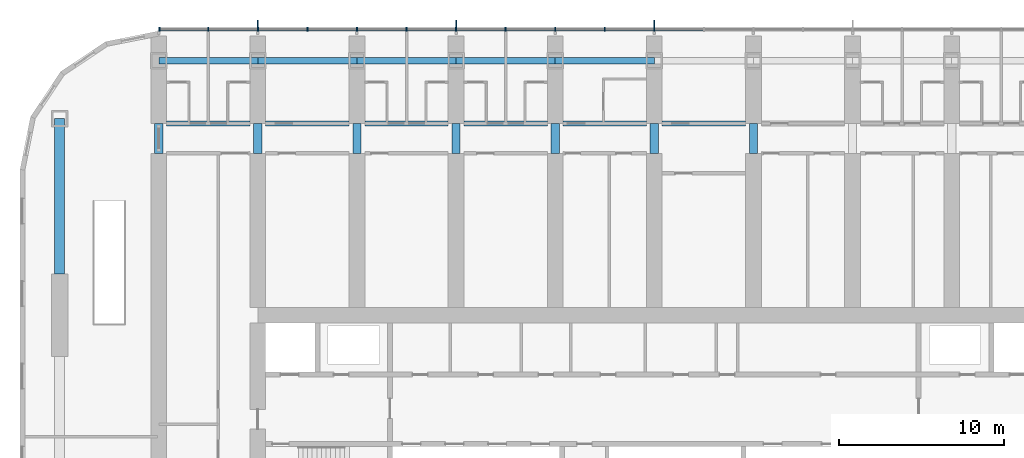
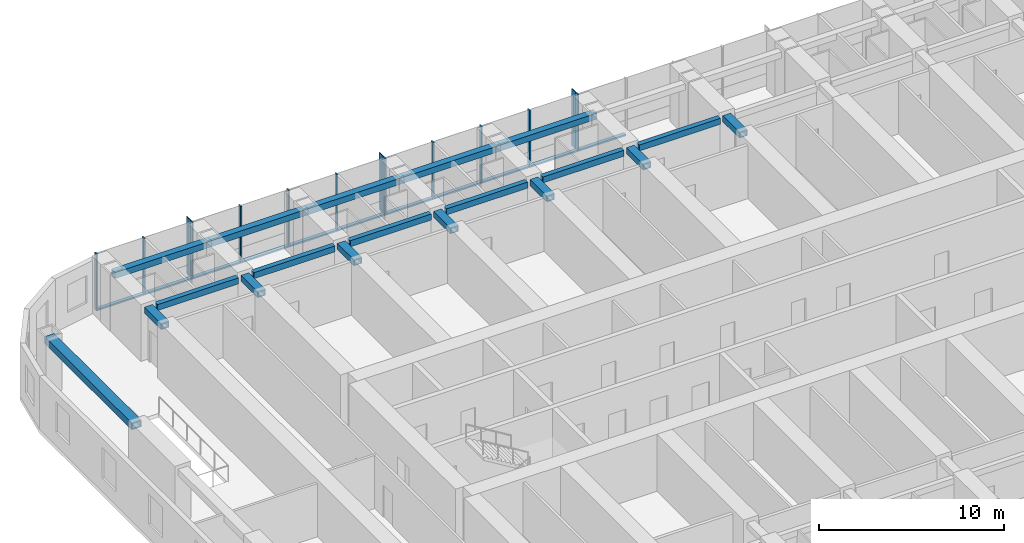
# One storey, part 4 of 21: 25 members, 19 beams, 1 element without a shape of its own.
"""IFC4 building model written with IfcOpenShell, lengths in metres."""

import ifcopenshell
import ifcopenshell.guid

model = None  # the IFC model being written
_history = None  # IfcOwnerHistory: only IFC2X3 demands one
_inside = {}  # id of a spatial element -> (the spatial element, [elements in it])
_under = {}  # id of a project, library or spatial element -> (it, [spatial elements below it])
_declared = {}  # id of a project -> (the project, [libraries it declares])
_typed = {}  # id of a type object -> (the type object, [elements of that type])
_made_of = {}  # id of a material, layer set ... -> (it, [elements and type objects made of it])


def new_model(schema):
    """Start an empty IFC model of exactly this schema.

    Asked for "IFC4X3", IfcOpenShell would pick the latest addendum, in which some entities
    have other attributes; the version numbers below select the first issue.
    IFC2X3 requires an IfcOwnerHistory on every rooted entity: one is made here for all.
    """
    global model, _history
    if schema == "IFC4X3":
        model = ifcopenshell.file(schema_version=(4, 3, 0, 0))
    else:
        model = ifcopenshell.file(schema=schema)
    _inside.clear()
    _under.clear()
    _declared.clear()
    _typed.clear()
    _made_of.clear()
    _history = None
    if model.schema == "IFC2X3":
        org = make("IfcOrganization", Name="unknown")
        user = make(
            "IfcPersonAndOrganization",
            ThePerson=make("IfcPerson", FamilyName="unknown"),
            TheOrganization=org,
        )
        app = make(
            "IfcApplication",
            ApplicationDeveloper=org,
            Version="unknown",
            ApplicationFullName="unknown",
            ApplicationIdentifier="unknown",
        )
        _history = make(
            "IfcOwnerHistory",
            OwningUser=user,
            OwningApplication=app,
            ChangeAction="ADDED",
            CreationDate=0,
        )
    return model


def make(cls, **values):
    """One entity of the class cls with the attributes given. An attribute that is None is left unset."""
    return model.create_entity(
        cls, **{name: value for name, value in values.items() if value is not None}
    )


def rooted(cls, **values):
    """An entity with a GlobalId (a new one), such as an element, a storey or a relation."""
    return make(cls, GlobalId=ifcopenshell.guid.new(), OwnerHistory=_history, **values)


def si_unit(unit_type, name, prefix=None):
    """IfcSIUnit, for example si_unit("LENGTHUNIT", "METRE", prefix="MILLI")."""
    return make("IfcSIUnit", UnitType=unit_type, Prefix=prefix, Name=name)


def assignment(units):
    """IfcUnitAssignment: the units of a project."""
    return None if units is None else make("IfcUnitAssignment", Units=units)


def point(xyz):
    """IfcCartesianPoint."""
    return None if xyz is None else make("IfcCartesianPoint", Coordinates=xyz)


def direction(xyz):
    """IfcDirection."""
    return None if xyz is None else make("IfcDirection", DirectionRatios=xyz)


def frame(location, z_axis=None, x_axis=None):
    """IfcAxis2Placement3D, a coordinate frame: its origin and axes. An axis left out is left unset."""
    return make(
        "IfcAxis2Placement3D",
        Location=point(location),
        Axis=direction(z_axis),
        RefDirection=direction(x_axis),
    )


def frame_2d(location, x_axis=None):
    """IfcAxis2Placement2D, a coordinate frame in the plane: its origin and x axis."""
    return make(
        "IfcAxis2Placement2D", Location=point(location), RefDirection=direction(x_axis)
    )


def origin():
    """The frame at (0, 0, 0) with its axes left unset."""
    return frame((0.0, 0.0, 0.0))


def origin_2d():
    """The frame at (0, 0) in the plane with its x axis left unset."""
    return frame_2d((0.0, 0.0))


def place(relative_to, where):
    """IfcLocalPlacement: puts the frame where relative to a parent placement (None: the world)."""
    return make(
        "IfcLocalPlacement", PlacementRelTo=relative_to, RelativePlacement=where
    )


def context(
    kind, dimensions, precision=None, world=None, true_north=None, identifier=None
):
    """IfcGeometricRepresentationContext, for example the 3D "Model" context."""
    return make(
        "IfcGeometricRepresentationContext",
        ContextIdentifier=identifier,
        ContextType=kind,
        CoordinateSpaceDimension=dimensions,
        Precision=precision,
        WorldCoordinateSystem=world,
        TrueNorth=true_north,
    )


def subcontext(parent, identifier, kind, view, scale=None):
    """IfcGeometricRepresentationSubContext, for example "Body" below "Model"."""
    return make(
        "IfcGeometricRepresentationSubContext",
        ContextIdentifier=identifier,
        ContextType=kind,
        ParentContext=parent,
        TargetScale=scale,
        TargetView=view,
    )


def project(units=None, contexts=None):
    """IfcProject with its units and contexts."""
    return rooted(
        "IfcProject",
        Name="project",
        RepresentationContexts=contexts,
        UnitsInContext=assignment(units),
    )


def spatial(cls, under=None, at=None, **own):
    """A site, building, storey or space (cls), placed at a placement, below another one or the project."""
    s = rooted(cls, ObjectPlacement=at, **own)
    if under is not None:
        _under.setdefault(under.id(), (under, []))[1].append(s)
    return s


def profile(cls, at=None, kind="AREA", **sizes):
    """A parametric profile (cls). Its sizes go by their IFC names, for example OverallWidth=200.0."""
    return make(cls, ProfileType=kind, Position=at, **sizes)


def rectangle(**sizes):
    """IfcRectangleProfileDef."""
    return profile("IfcRectangleProfileDef", **sizes)


def hollow_rectangle(**sizes):
    """IfcRectangleHollowProfileDef."""
    return profile("IfcRectangleHollowProfileDef", **sizes)


def extrude(swept, where, along, depth):
    """IfcExtrudedAreaSolid: the profile swept, set in the frame where, extruded along a direction by depth."""
    return make(
        "IfcExtrudedAreaSolid",
        SweptArea=swept,
        Position=where,
        ExtrudedDirection=direction(along),
        Depth=depth,
    )


def shape(context_of_items, identifier, shape_type, items):
    """IfcShapeRepresentation: the items that make up one representation, for example the "Body"."""
    return make(
        "IfcShapeRepresentation",
        ContextOfItems=context_of_items,
        RepresentationIdentifier=identifier,
        RepresentationType=shape_type,
        Items=items,
    )


def material(Name=None, Category=None):
    """IfcMaterial."""
    return make("IfcMaterial", Name=Name, Category=Category)


def material_profile(
    of_material, cross_section, Name=None, Category=None, Priority=None
):
    """IfcMaterialProfile: a cross section and its material."""
    return make(
        "IfcMaterialProfile",
        Name=Name,
        Material=of_material,
        Profile=cross_section,
        Priority=Priority,
        Category=Category,
    )


def profile_set(profiles, Name=None, composite=None):
    """IfcMaterialProfileSet."""
    return make(
        "IfcMaterialProfileSet",
        Name=Name,
        MaterialProfiles=profiles,
        CompositeProfile=composite,
    )


def made_of(thing, what):
    """Note that an element or type object is made of a material, layer set ...; save() writes the relation."""
    if what is not None:
        _made_of.setdefault(what.id(), (what, []))[1].append(thing)
    return thing


def type_object(cls, material=None, **own):
    """A type object (cls), such as IfcWallType, which elements share."""
    return made_of(rooted(cls, **own), material)


def element(
    cls,
    number,
    at=None,
    inside=None,
    cuts=None,
    type_object=None,
    material=None,
    context=None,
    identifier="Body",
    shape_type=None,
    held_by="IfcProductDefinitionShape",
    body=None,
    shapes=None,
    **own,
):
    """One element of the class cls, such as IfcWall. Its Tag is "e" and its number.

    at: its placement. inside: the storey or other place that contains it. cuts: it is an
    opening in that element (IfcRelVoidsElement). A single representation is given by context,
    identifier, shape_type and body (its items); several are given by shapes. held_by: the class
    of the entity that holds the representations. save() writes the other relations.
    """
    e = rooted(cls, Tag="e%d" % number, ObjectPlacement=at, **own)
    if body is not None:
        shapes = [shape(context, identifier, shape_type, body)]
    if shapes is not None:
        e.Representation = make(held_by, Representations=shapes)
    if inside is not None:
        _inside.setdefault(inside.id(), (inside, []))[1].append(e)
    if cuts is not None:
        rooted(
            "IfcRelVoidsElement", RelatingBuildingElement=cuts, RelatedOpeningElement=e
        )
    if type_object is not None:
        _typed.setdefault(type_object.id(), (type_object, []))[1].append(e)
    return made_of(e, material)


def aggregate(whole, parts):
    """IfcRelAggregates: a whole, such as a stair, and the parts it consists of."""
    return rooted("IfcRelAggregates", RelatingObject=whole, RelatedObjects=parts)


def save(model, path):
    """Write the relations noted so far, then the file.

    IfcRelAggregates (storeys below a building ...), IfcRelContainedInSpatialStructure (elements
    in a storey), IfcRelDefinesByType, IfcRelAssociatesMaterial and IfcRelDeclares: one each for
    every whole, place, type object, material and project.
    """
    for whole, parts in _under.values():
        aggregate(whole, parts)
    for where, things in _inside.values():
        rooted(
            "IfcRelContainedInSpatialStructure",
            RelatedElements=things,
            RelatingStructure=where,
        )
    for kind, things in _typed.values():
        rooted("IfcRelDefinesByType", RelatedObjects=things, RelatingType=kind)
    for what, things in _made_of.values():
        rooted("IfcRelAssociatesMaterial", RelatedObjects=things, RelatingMaterial=what)
    for by, libraries in _declared.values():
        rooted("IfcRelDeclares", RelatingContext=by, RelatedDefinitions=libraries)
    model.write(path)


model = new_model("IFC4")

# Units and contexts
model_context = context("Model", 3, precision=1e-05, world=origin(), true_north=direction((0.0, 1.0)))
body_context = subcontext(model_context, "Body", "Model", "MODEL_VIEW")
ifc_project = project(units=[si_unit("LENGTHUNIT", "METRE"), si_unit("AREAUNIT", "SQUARE_METRE"), si_unit("VOLUMEUNIT", "CUBIC_METRE"), si_unit("PLANEANGLEUNIT", "RADIAN"), si_unit("MASSUNIT", "GRAM", prefix="KILO")], contexts=[model_context])

# Site, building, storey
site_placement = place(None, origin())
site = spatial("IfcSite", under=ifc_project, at=site_placement, CompositionType="ELEMENT")
building_placement = place(site_placement, origin())
building = spatial("IfcBuilding", under=site, at=building_placement, Name="Orbita Commons", CompositionType="ELEMENT")
storey_placement = place(building_placement, frame((0.0, 0.0, 88.14990234375)))
storey = spatial("IfcBuildingStorey", under=building, at=storey_placement, Name="L21", CompositionType="ELEMENT", Elevation=88.14990234375)

# Curtain wall, members
ifc_material_1 = material(Name="Anodised aluminium frame, pale silver", Category="aluminium")
curtain_wall_type = type_object("IfcCurtainWallType", Name="Unitised curtain wall CW-T, vision and spandrel", PredefinedType="NOTDEFINED", material=ifc_material_1)
curtain_wall_placement = place(storey_placement, origin())
curtain_wall = element("IfcCurtainWall", 1, at=curtain_wall_placement, inside=storey, type_object=curtain_wall_type, Name="Curtain wall north L21", PredefinedType="NOTDEFINED")
ifc_material_2 = material(Name="Anodised aluminium, pale silver", Category="aluminium")
ifc_material_profile_1 = material_profile(ifc_material_2, rectangle(XDim=0.080078125, YDim=0.219970703125, at=origin_2d()), Name="AL 80x220")
ifc_profile_set_1 = profile_set([ifc_material_profile_1], Name="Anodised aluminium, pale silver")
member_type_1 = type_object("IfcMemberType", Name="Curtain wall mullion 80x220", PredefinedType="MULLION", material=ifc_profile_set_1)
member_1_placement = place(storey_placement, frame((42.0, 55.510009765625, -0.25), z_axis=(0.0, 0.0, 1.0), x_axis=(-1.0, 0.0, 0.0)))
member_1 = element("IfcMember", 2, at=member_1_placement, type_object=member_type_1, Name="Mullion 9 CW-L21-N", PredefinedType="MULLION", context=body_context, shape_type="SweptSolid", body=[
    extrude(rectangle(XDim=0.080078125, YDim=0.219970703125, at=origin_2d()), origin(), (0.0, 0.0, 1.0), 3.75),
])
member_2_placement = place(storey_placement, frame((39.0, 55.510009765625, -0.25), z_axis=(0.0, 0.0, 1.0), x_axis=(-1.0, 0.0, 0.0)))
member_2 = element("IfcMember", 3, at=member_2_placement, type_object=member_type_1, Name="Mullion 10 CW-L21-N", PredefinedType="MULLION", context=body_context, shape_type="SweptSolid", body=[
    extrude(rectangle(XDim=0.080078125, YDim=0.219970703125, at=origin_2d()), origin(), (0.0, 0.0, 1.0), 3.75),
])
member_3_placement = place(storey_placement, frame((36.0, 55.510009765625, -0.25), z_axis=(0.0, 0.0, 1.0), x_axis=(-1.0, 0.0, 0.0)))
member_3 = element("IfcMember", 4, at=member_3_placement, type_object=member_type_1, Name="Mullion 11 CW-L21-N", PredefinedType="MULLION", context=body_context, shape_type="SweptSolid", body=[
    extrude(rectangle(XDim=0.080078125, YDim=0.219970703125, at=origin_2d()), origin(), (0.0, 0.0, 1.0), 3.75),
])
member_4_placement = place(storey_placement, frame((33.0, 55.510009765625, -0.25), z_axis=(0.0, 0.0, 1.0), x_axis=(-1.0, 0.0, 0.0)))
member_4 = element("IfcMember", 5, at=member_4_placement, type_object=member_type_1, Name="Mullion 12 CW-L21-N", PredefinedType="MULLION", context=body_context, shape_type="SweptSolid", body=[
    extrude(rectangle(XDim=0.080078125, YDim=0.219970703125, at=origin_2d()), origin(), (0.0, 0.0, 1.0), 3.75),
])
member_5_placement = place(storey_placement, frame((30.0, 55.510009765625, -0.25), z_axis=(0.0, 0.0, 1.0), x_axis=(-1.0, 0.0, 0.0)))
member_5 = element("IfcMember", 6, at=member_5_placement, type_object=member_type_1, Name="Mullion 13 CW-L21-N", PredefinedType="MULLION", context=body_context, shape_type="SweptSolid", body=[
    extrude(rectangle(XDim=0.080078125, YDim=0.219970703125, at=origin_2d()), origin(), (0.0, 0.0, 1.0), 3.75),
])
member_6_placement = place(storey_placement, frame((27.0, 55.510009765625, -0.25), z_axis=(0.0, 0.0, 1.0), x_axis=(-1.0, 0.0, 0.0)))
member_6 = element("IfcMember", 7, at=member_6_placement, type_object=member_type_1, Name="Mullion 14 CW-L21-N", PredefinedType="MULLION", context=body_context, shape_type="SweptSolid", body=[
    extrude(rectangle(XDim=0.080078125, YDim=0.219970703125, at=origin_2d()), origin(), (0.0, 0.0, 1.0), 3.75),
])
member_7_placement = place(storey_placement, frame((24.0, 55.510009765625, -0.25), z_axis=(0.0, 0.0, 1.0), x_axis=(-1.0, 0.0, 0.0)))
member_7 = element("IfcMember", 8, at=member_7_placement, type_object=member_type_1, Name="Mullion 15 CW-L21-N", PredefinedType="MULLION", context=body_context, shape_type="SweptSolid", body=[
    extrude(rectangle(XDim=0.080078125, YDim=0.219970703125, at=origin_2d()), origin(), (0.0, 0.0, 1.0), 3.75),
])
member_8_placement = place(storey_placement, frame((21.0, 55.510009765625, -0.25), z_axis=(0.0, 0.0, 1.0), x_axis=(-1.0, 0.0, 0.0)))
member_8 = element("IfcMember", 9, at=member_8_placement, type_object=member_type_1, Name="Mullion 16 CW-L21-N", PredefinedType="MULLION", context=body_context, shape_type="SweptSolid", body=[
    extrude(rectangle(XDim=0.080078125, YDim=0.219970703125, at=origin_2d()), origin(), (0.0, 0.0, 1.0), 3.75),
])
member_9_placement = place(storey_placement, frame((18.0, 55.510009765625, -0.25), z_axis=(0.0, 0.0, 1.0), x_axis=(-1.0, 0.0, 0.0)))
member_9 = element("IfcMember", 10, at=member_9_placement, type_object=member_type_1, Name="Mullion 17 CW-L21-N", PredefinedType="MULLION", context=body_context, shape_type="SweptSolid", body=[
    extrude(rectangle(XDim=0.080078125, YDim=0.219970703125, at=origin_2d()), origin(), (0.0, 0.0, 1.0), 3.75),
])
member_10_placement = place(storey_placement, frame((15.0, 55.510009765625, -0.25), z_axis=(0.0, 0.0, 1.0), x_axis=(-1.0, 0.0, 0.0)))
member_10 = element("IfcMember", 11, at=member_10_placement, type_object=member_type_1, Name="Mullion 18 CW-L21-N", PredefinedType="MULLION", context=body_context, shape_type="SweptSolid", body=[
    extrude(rectangle(XDim=0.080078125, YDim=0.219970703125, at=origin_2d()), origin(), (0.0, 0.0, 1.0), 3.75),
])
member_11_placement = place(storey_placement, frame((12.0400390625, 55.510009765625, -0.25), z_axis=(0.0, 0.0, 1.0), x_axis=(-1.0, 0.0, 0.0)))
member_11 = element("IfcMember", 12, at=member_11_placement, type_object=member_type_1, Name="Mullion 19 CW-L21-N", PredefinedType="MULLION", context=body_context, shape_type="SweptSolid", body=[
    extrude(rectangle(XDim=0.080078125, YDim=0.219970703125, at=origin_2d()), origin(), (0.0, 0.0, 1.0), 3.75),
])
ifc_material_3 = material(Name="Anodised aluminium, pale silver", Category="aluminium")
ifc_material_profile_2 = material_profile(ifc_material_3, rectangle(XDim=0.219970703125, YDim=0.10009765625, at=origin_2d()), Name="AL 220x100")
ifc_profile_set_2 = profile_set([ifc_material_profile_2], Name="Anodised aluminium, pale silver")
member_type_2 = type_object("IfcMemberType", Name="Curtain wall stack transom 220x100", PredefinedType="USERDEFINED", material=ifc_profile_set_2)
member_12_placement = place(storey_placement, frame((44.9599609375, 55.510009765625, -0.199951171875), z_axis=(-1.0, 0.0, 0.0), x_axis=(0.0, -1.0, 0.0)))
member_12 = element("IfcMember", 13, at=member_12_placement, type_object=member_type_2, Name="Transom 8.1 CW-L21-N", ObjectType="TRANSOM", PredefinedType="USERDEFINED", context=body_context, shape_type="SweptSolid", body=[
    extrude(rectangle(XDim=0.219970703125, YDim=0.10009765625, at=origin_2d()), origin(), (0.0, 0.0, 1.0), 2.919921875),
])
member_13_placement = place(storey_placement, frame((41.9599609375, 55.510009765625, -0.199951171875), z_axis=(-1.0, 0.0, 0.0), x_axis=(0.0, -1.0, 0.0)))
member_13 = element("IfcMember", 14, at=member_13_placement, type_object=member_type_2, Name="Transom 9.1 CW-L21-N", ObjectType="TRANSOM", PredefinedType="USERDEFINED", context=body_context, shape_type="SweptSolid", body=[
    extrude(rectangle(XDim=0.219970703125, YDim=0.10009765625, at=origin_2d()), origin(), (0.0, 0.0, 1.0), 2.919921875),
])
member_14_placement = place(storey_placement, frame((38.9599609375, 55.510009765625, -0.199951171875), z_axis=(-1.0, 0.0, 0.0), x_axis=(0.0, -1.0, 0.0)))
member_14 = element("IfcMember", 15, at=member_14_placement, type_object=member_type_2, Name="Transom 10.1 CW-L21-N", ObjectType="TRANSOM", PredefinedType="USERDEFINED", context=body_context, shape_type="SweptSolid", body=[
    extrude(rectangle(XDim=0.219970703125, YDim=0.10009765625, at=origin_2d()), origin(), (0.0, 0.0, 1.0), 2.919921875),
])
member_15_placement = place(storey_placement, frame((35.9599609375, 55.510009765625, -0.199951171875), z_axis=(-1.0, 0.0, 0.0), x_axis=(0.0, -1.0, 0.0)))
member_15 = element("IfcMember", 16, at=member_15_placement, type_object=member_type_2, Name="Transom 11.1 CW-L21-N", ObjectType="TRANSOM", PredefinedType="USERDEFINED", context=body_context, shape_type="SweptSolid", body=[
    extrude(rectangle(XDim=0.219970703125, YDim=0.10009765625, at=origin_2d()), origin(), (0.0, 0.0, 1.0), 2.919921875),
])
member_16_placement = place(storey_placement, frame((32.9599609375, 55.510009765625, -0.199951171875), z_axis=(-1.0, 0.0, 0.0), x_axis=(0.0, -1.0, 0.0)))
member_16 = element("IfcMember", 17, at=member_16_placement, type_object=member_type_2, Name="Transom 12.1 CW-L21-N", ObjectType="TRANSOM", PredefinedType="USERDEFINED", context=body_context, shape_type="SweptSolid", body=[
    extrude(rectangle(XDim=0.219970703125, YDim=0.10009765625, at=origin_2d()), origin(), (0.0, 0.0, 1.0), 2.919921875),
])
member_17_placement = place(storey_placement, frame((29.9599609375, 55.510009765625, -0.199951171875), z_axis=(-1.0, 0.0, 0.0), x_axis=(0.0, -1.0, 0.0)))
member_17 = element("IfcMember", 18, at=member_17_placement, type_object=member_type_2, Name="Transom 13.1 CW-L21-N", ObjectType="TRANSOM", PredefinedType="USERDEFINED", context=body_context, shape_type="SweptSolid", body=[
    extrude(rectangle(XDim=0.219970703125, YDim=0.10009765625, at=origin_2d()), origin(), (0.0, 0.0, 1.0), 2.919921875),
])
member_18_placement = place(storey_placement, frame((26.9599609375, 55.510009765625, -0.199951171875), z_axis=(-1.0, 0.0, 0.0), x_axis=(0.0, -1.0, 0.0)))
member_18 = element("IfcMember", 19, at=member_18_placement, type_object=member_type_2, Name="Transom 14.1 CW-L21-N", ObjectType="TRANSOM", PredefinedType="USERDEFINED", context=body_context, shape_type="SweptSolid", body=[
    extrude(rectangle(XDim=0.219970703125, YDim=0.10009765625, at=origin_2d()), origin(), (0.0, 0.0, 1.0), 2.919921875),
])
member_19_placement = place(storey_placement, frame((23.9599609375, 55.510009765625, -0.199951171875), z_axis=(-1.0, 0.0, 0.0), x_axis=(0.0, -1.0, 0.0)))
member_19 = element("IfcMember", 20, at=member_19_placement, type_object=member_type_2, Name="Transom 15.1 CW-L21-N", ObjectType="TRANSOM", PredefinedType="USERDEFINED", context=body_context, shape_type="SweptSolid", body=[
    extrude(rectangle(XDim=0.219970703125, YDim=0.10009765625, at=origin_2d()), origin(), (0.0, 0.0, 1.0), 2.919921875),
])
member_20_placement = place(storey_placement, frame((20.9599609375, 55.510009765625, -0.199951171875), z_axis=(-1.0, 0.0, 0.0), x_axis=(0.0, -1.0, 0.0)))
member_20 = element("IfcMember", 21, at=member_20_placement, type_object=member_type_2, Name="Transom 16.1 CW-L21-N", ObjectType="TRANSOM", PredefinedType="USERDEFINED", context=body_context, shape_type="SweptSolid", body=[
    extrude(rectangle(XDim=0.219970703125, YDim=0.10009765625, at=origin_2d()), origin(), (0.0, 0.0, 1.0), 2.919921875),
])
member_21_placement = place(storey_placement, frame((17.9599609375, 55.510009765625, -0.199951171875), z_axis=(-1.0, 0.0, 0.0), x_axis=(0.0, -1.0, 0.0)))
member_21 = element("IfcMember", 22, at=member_21_placement, type_object=member_type_2, Name="Transom 17.1 CW-L21-N", ObjectType="TRANSOM", PredefinedType="USERDEFINED", context=body_context, shape_type="SweptSolid", body=[
    extrude(rectangle(XDim=0.219970703125, YDim=0.10009765625, at=origin_2d()), origin(), (0.0, 0.0, 1.0), 2.919921875),
])
member_22_placement = place(storey_placement, frame((14.9599609375, 55.510009765625, -0.199951171875), z_axis=(-1.0, 0.0, 0.0), x_axis=(0.0, -1.0, 0.0)))
member_22 = element("IfcMember", 23, at=member_22_placement, type_object=member_type_2, Name="Transom 18.1 CW-L21-N", ObjectType="TRANSOM", PredefinedType="USERDEFINED", context=body_context, shape_type="SweptSolid", body=[
    extrude(rectangle(XDim=0.219970703125, YDim=0.10009765625, at=origin_2d()), origin(), (0.0, 0.0, 1.0), 2.8798828125),
])

# Beams
ifc_material_4 = material(Name="Steel ASTM A572 Gr 50 welded plate", Category="steel")
ifc_material_profile_3 = material_profile(ifc_material_4, hollow_rectangle(XDim=0.300048828125, YDim=0.39990234375, WallThickness=0.0400390625, at=origin_2d()), Name="BOX 400x300x40")
ifc_profile_set_3 = profile_set([ifc_material_profile_3], Name="Steel ASTM A572 Gr 50 welded plate")
beam_type_1 = type_object("IfcBeamType", Name="Steel corridor link BOX 400x300x40", PredefinedType="BEAM", material=ifc_profile_set_3)
for number, where, z_axis, x_axis, name in (
    (24, (12.47509765625, 49.800048828125, 3.300048828125), (1.0, 0.0, 0.0), (0.0, 1.0, 0.0), "Corridor beam NB 3-4 L21"),
    (25, (18.47509765625, 49.800048828125, 3.300048828125), (1.0, 0.0, 0.0), (0.0, 1.0, 0.0), "Corridor beam NB 4-5 L21"),
    (26, (24.47509765625, 49.800048828125, 3.300048828125), (1.0, 0.0, 0.0), (0.0, 1.0, 0.0), "Corridor beam NB 5-6 L21"),
    (27, (30.47509765625, 49.800048828125, 3.300048828125), (1.0, 0.0, 0.0), (0.0, 1.0, 0.0), "Corridor beam NB 6-7 L21"),
    (28, (36.47509765625, 49.800048828125, 3.300048828125), (1.0, 0.0, 0.0), (0.0, 1.0, 0.0), "Corridor beam NB 7-8 L21"),
    (29, (42.47509765625, 49.800048828125, 3.300048828125), (1.0, 0.0, 0.0), (0.0, 1.0, 0.0), "Corridor beam NB 8-9 L21"),
):
    element("IfcBeam", number, at=place(storey_placement, frame(where, z_axis=z_axis, x_axis=x_axis)), inside=storey, type_object=beam_type_1, Name=name, PredefinedType="BEAM", context=body_context, shape_type="SweptSolid", body=[
        extrude(hollow_rectangle(XDim=0.300048828125, YDim=0.39990234375, WallThickness=0.0400390625, at=origin_2d()), origin(), (0.0, 0.0, 1.0), 5.0498046875),
    ])
ifc_material_5 = material(Name="Steel ASTM A572 Gr 50 welded plate", Category="steel")
ifc_material_profile_4 = material_profile(ifc_material_5, hollow_rectangle(XDim=0.5, YDim=0.39990234375, WallThickness=0.050048828125, at=origin_2d()), Name="BOX 400x500x50")
ifc_profile_set_4 = profile_set([ifc_material_profile_4], Name="Steel ASTM A572 Gr 50 welded plate")
beam_type_2 = type_object("IfcBeamType", Name="Steel coupling link BOX 400x500x50", PredefinedType="LINTEL", material=ifc_profile_set_4)
for number, where, z_axis, x_axis, name in (
    (30, (12.0, 48.0, 3.300048828125), (0.0, 1.0, 0.0), (-1.0, 0.0, 0.0), "Coupling beam 3 north L21"),
    (31, (18.0, 48.0, 3.300048828125), (0.0, 1.0, 0.0), (-1.0, 0.0, 0.0), "Coupling beam 4 north L21"),
    (32, (24.0, 48.0, 3.300048828125), (0.0, 1.0, 0.0), (-1.0, 0.0, 0.0), "Coupling beam 5 north L21"),
    (33, (30.0, 48.0, 3.300048828125), (0.0, 1.0, 0.0), (-1.0, 0.0, 0.0), "Coupling beam 6 north L21"),
    (34, (36.0, 48.0, 3.300048828125), (0.0, 1.0, 0.0), (-1.0, 0.0, 0.0), "Coupling beam 7 north L21"),
    (35, (42.0, 48.0, 3.300048828125), (0.0, 1.0, 0.0), (-1.0, 0.0, 0.0), "Coupling beam 8 north L21"),
    (36, (48.0, 48.0, 3.300048828125), (0.0, 1.0, 0.0), (-1.0, 0.0, 0.0), "Coupling beam 9 north L21"),
):
    element("IfcBeam", number, at=place(storey_placement, frame(where, z_axis=z_axis, x_axis=x_axis)), inside=storey, type_object=beam_type_2, Name=name, PredefinedType="LINTEL", context=body_context, shape_type="SweptSolid", body=[
        extrude(hollow_rectangle(XDim=0.5, YDim=0.39990234375, WallThickness=0.050048828125, at=origin_2d()), origin(), (0.0, 0.0, 1.0), 1.800048828125),
    ])
ifc_material_6 = material(Name="Steel ASTM A572 Gr 50 welded plate", Category="steel")
ifc_material_profile_5 = material_profile(ifc_material_6, hollow_rectangle(XDim=0.60009765625, YDim=0.449951171875, WallThickness=0.06005859375, at=origin_2d()), Name="BOX 450x600x60")
ifc_profile_set_5 = profile_set([ifc_material_profile_5], Name="Steel ASTM A572 Gr 50 welded plate")
beam_type_3 = type_object("IfcBeamType", Name="Steel end frame link BOX 450x600x60", PredefinedType="BEAM", material=ifc_profile_set_5)
beam_placement = place(storey_placement, frame((6.0, 40.699951171875, 3.275146484375), z_axis=(0.0, 1.0, 0.0), x_axis=(-1.0, 0.0, 0.0)))
element("IfcBeam", 37, at=beam_placement, inside=storey, type_object=beam_type_3, Name="End frame beam 2 D-E L21", PredefinedType="BEAM", context=body_context, shape_type="SweptSolid", body=[
    extrude(hollow_rectangle(XDim=0.60009765625, YDim=0.449951171875, WallThickness=0.06005859375, at=origin_2d()), origin(), (0.0, 0.0, 1.0), 9.400146484375),
])
ifc_material_7 = material(Name="Steel ASTM A572 Gr 50 welded plate", Category="steel")
ifc_material_profile_6 = material_profile(ifc_material_7, hollow_rectangle(XDim=0.39990234375, YDim=0.39990234375, WallThickness=0.0400390625, at=origin_2d()), Name="BOX 400x400x40")
ifc_profile_set_6 = profile_set([ifc_material_profile_6], Name="Steel ASTM A572 Gr 50 welded plate")
beam_type_4 = type_object("IfcBeamType", Name="Steel spandrel BOX 400x400x40", PredefinedType="SPANDREL", material=ifc_profile_set_6)
for number, where, z_axis, x_axis, name in (
    (38, (12.0, 53.60009765625, 3.300048828125), (1.0, 0.0, 0.0), (0.0, 1.0, 0.0), "Spandrel beam E 3-4 L21"),
    (39, (18.0, 53.60009765625, 3.300048828125), (1.0, 0.0, 0.0), (0.0, 1.0, 0.0), "Spandrel beam E 4-5 L21"),
    (40, (24.0, 53.60009765625, 3.300048828125), (1.0, 0.0, 0.0), (0.0, 1.0, 0.0), "Spandrel beam E 5-6 L21"),
    (41, (30.0, 53.60009765625, 3.300048828125), (1.0, 0.0, 0.0), (0.0, 1.0, 0.0), "Spandrel beam E 6-7 L21"),
    (42, (36.0, 53.60009765625, 3.300048828125), (1.0, 0.0, 0.0), (0.0, 1.0, 0.0), "Spandrel beam E 7-8 L21"),
):
    element("IfcBeam", number, at=place(storey_placement, frame(where, z_axis=z_axis, x_axis=x_axis)), inside=storey, type_object=beam_type_4, Name=name, PredefinedType="SPANDREL", context=body_context, shape_type="SweptSolid", body=[
        extrude(hollow_rectangle(XDim=0.39990234375, YDim=0.39990234375, WallThickness=0.0400390625, at=origin_2d()), origin(), (0.0, 0.0, 1.0), 6.0),
    ])

# Member
ifc_material_8 = material(Name="Anodised aluminium, pale silver", Category="aluminium")
ifc_material_profile_7 = material_profile(ifc_material_8, rectangle(XDim=0.06005859375, YDim=0.449951171875, at=origin_2d()), Name="FIN 60x450")
ifc_profile_set_7 = profile_set([ifc_material_profile_7], Name="Anodised aluminium, pale silver")
member_type_3 = type_object("IfcMemberType", Name="Vertical fin 60x450 pale aluminium", PredefinedType="USERDEFINED", material=ifc_profile_set_7)
member_23_placement = place(storey_placement, frame((42.0, 55.844970703125, -0.25), z_axis=(0.0, 0.0, 1.0), x_axis=(-1.0, 0.0, 0.0)))
member_23 = element("IfcMember", 43, at=member_23_placement, type_object=member_type_3, Name="Fin 9 CW-L21-N", ObjectType="FIN", PredefinedType="USERDEFINED", context=body_context, shape_type="SweptSolid", body=[
    extrude(rectangle(XDim=0.06005859375, YDim=0.449951171875, at=origin_2d()), origin(), (0.0, 0.0, 1.0), 3.75),
])

member_24_placement = place(storey_placement, frame((30.0, 55.844970703125, -0.25), z_axis=(0.0, 0.0, 1.0), x_axis=(-1.0, 0.0, 0.0)))
member_24 = element("IfcMember", 44, at=member_24_placement, type_object=member_type_3, Name="Fin 13 CW-L21-N", ObjectType="FIN", PredefinedType="USERDEFINED", context=body_context, shape_type="SweptSolid", body=[
    extrude(rectangle(XDim=0.06005859375, YDim=0.449951171875, at=origin_2d()), origin(), (0.0, 0.0, 1.0), 3.75),
])

member_25_placement = place(storey_placement, frame((18.0, 55.844970703125, -0.25), z_axis=(0.0, 0.0, 1.0), x_axis=(-1.0, 0.0, 0.0)))
member_25 = element("IfcMember", 45, at=member_25_placement, type_object=member_type_3, Name="Fin 17 CW-L21-N", ObjectType="FIN", PredefinedType="USERDEFINED", context=body_context, shape_type="SweptSolid", body=[
    extrude(rectangle(XDim=0.06005859375, YDim=0.449951171875, at=origin_2d()), origin(), (0.0, 0.0, 1.0), 3.75),
])

aggregate(curtain_wall, [member_1, member_23, member_2, member_3, member_4, member_5, member_24, member_6, member_7, member_8, member_9, member_25, member_10, member_11, member_12, member_13, member_14, member_15, member_16, member_17, member_18, member_19, member_20, member_21, member_22])

save(model, "model.ifc")
